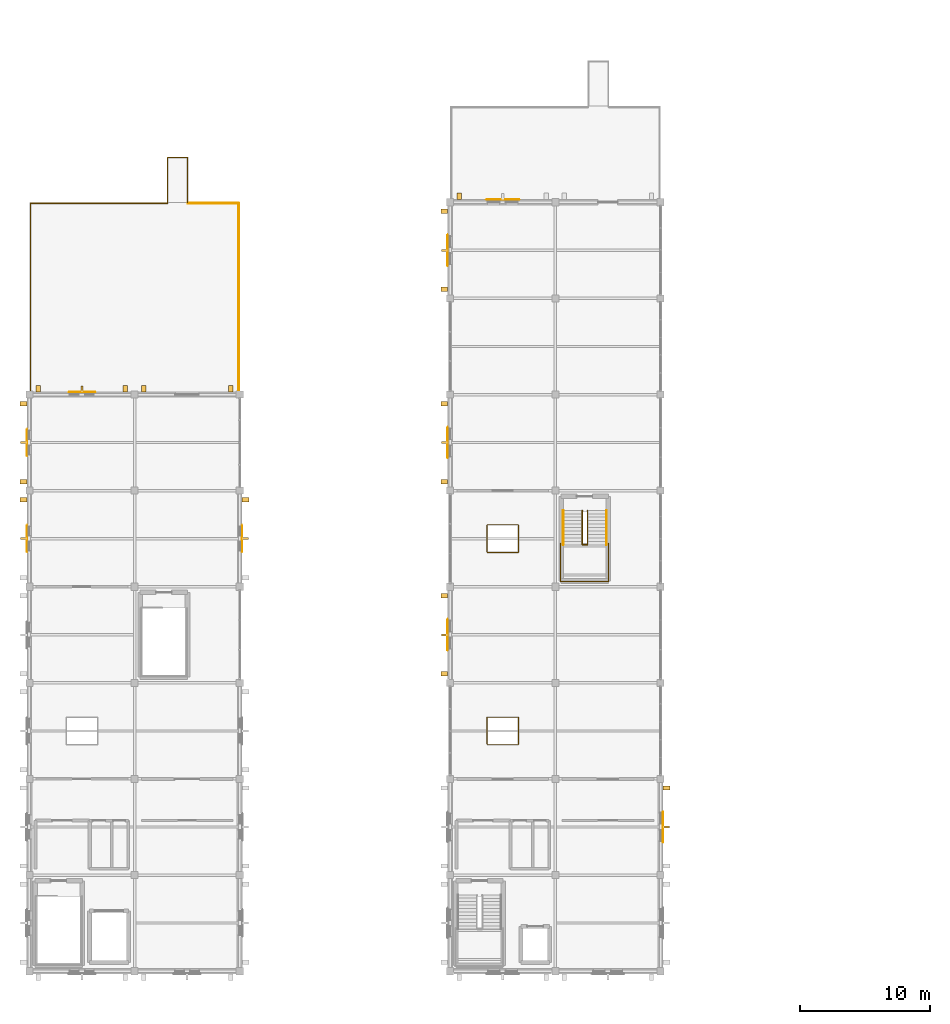
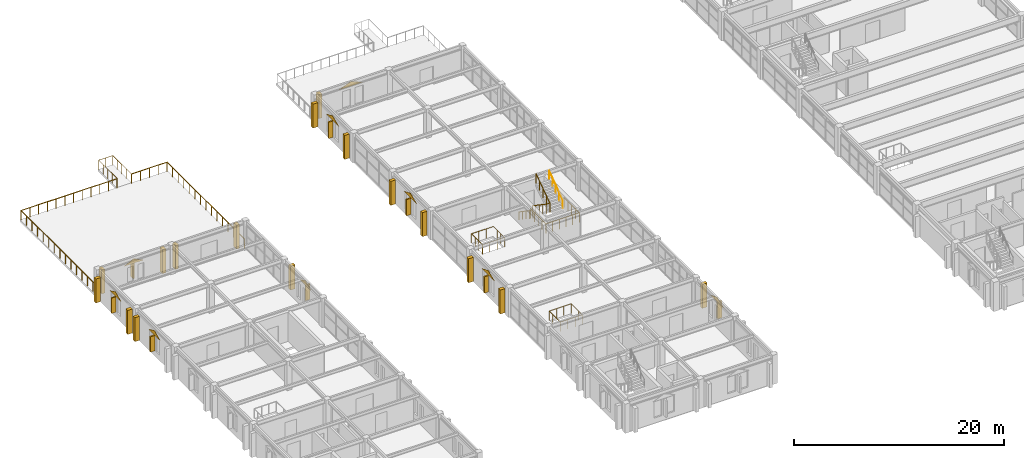
# One storey, part 88 of 93: 24 shading devices, 9 coverings, 9 railings.
"""IFC4 building model written with IfcOpenShell, lengths in metres."""

from ifc_helpers import new_model, si_unit, direction, frame, origin, origin_2d, place, context, subcontext, project, spatial, polyline, rectangle, circle, outline, extrude, material, layer, layer_set, type_object, element, save


model = new_model("IFC4")

# Units and contexts
model_context = context("Model", 3, precision=1e-05, world=origin(), true_north=direction((0.0, 1.0)))
body_context = subcontext(model_context, "Body", "Model", "MODEL_VIEW")
ifc_project = project(units=[si_unit("LENGTHUNIT", "METRE"), si_unit("AREAUNIT", "SQUARE_METRE"), si_unit("VOLUMEUNIT", "CUBIC_METRE"), si_unit("PLANEANGLEUNIT", "RADIAN"), si_unit("MASSUNIT", "GRAM", prefix="KILO")], contexts=[model_context])

# Site, building, storey
site_placement = place(None, origin())
site = spatial("IfcSite", under=ifc_project, at=site_placement, CompositionType="ELEMENT")
building_placement = place(site_placement, origin())
building = spatial("IfcBuilding", under=site, at=building_placement, Name="Cimatlan Art Gallery", CompositionType="ELEMENT")
storey_placement = place(building_placement, frame((0.0, 0.0, 13.800048828125)))
storey = spatial("IfcBuildingStorey", under=building, at=storey_placement, Name="L03", CompositionType="ELEMENT", Elevation=13.800048828125)

# Coverings
ifc_material_1 = material(Name="Queretaro cantera limestone ashlar hood-mould", Category="masonry")
ifc_layer = layer(ifc_material_1, 0.0419921875)
ifc_layer_set = layer_set([ifc_layer], Name="Queretaro cantera limestone ashlar hood-mould")
covering_type = type_object("IfcCoveringType", Name="COV-CLAD-CANTERA-42", PredefinedType="CLADDING", material=ifc_layer_set)
for number, where, z_axis, x_axis, name in (
    (1, (1.839599609375, 56.139892578125, 2.409912109375), (1.0, 0.0, 0.0), (0.0, 1.0, 0.0), "CLD-063"),
    (2, (4.989990234375, 68.46044921875, 2.409912109375), (0.0, -1.0, 0.0), (1.0, 0.0, 0.0), "CLD-064"),
):
    element("IfcCovering", number, at=place(storey_placement, frame(where, z_axis=z_axis, x_axis=x_axis)), inside=storey, type_object=covering_type, Name=name, PredefinedType="CLADDING", context=body_context, shape_type="SweptSolid", body=[
        extrude(outline(polyline([(0.0, 0.0), (2.1201171875, 0.0), (1.06005859375, 0.52001953125), (0.0, 0.0)])), origin(), (0.0, 0.0, -1.0), 0.0419921875),
    ])
covering_1_placement = place(storey_placement, frame((1.839599609375, 63.5400390625, 2.409912109375), z_axis=(1.0, 0.0, 0.0), x_axis=(0.0, 1.0, 0.0)))
element("IfcCovering", 3, at=covering_1_placement, inside=storey, type_object=covering_type, Name="CLD-065", PredefinedType="CLADDING", context=body_context, shape_type="SweptSolid", body=[
    extrude(outline(polyline([(0.0, 0.0), (2.119873046875, 0.0), (1.06005859375, 0.52001953125), (0.0, 0.0)])), origin(), (0.0, 0.0, -1.0), 0.0419921875),
])
covering_2_placement = place(storey_placement, frame((18.360595703125, 58.260009765625, 2.409912109375), z_axis=(-1.0, 0.0, 0.0), x_axis=(0.0, -1.0, 0.0)))
element("IfcCovering", 4, at=covering_2_placement, inside=storey, type_object=covering_type, Name="CLD-070", PredefinedType="CLADDING", context=body_context, shape_type="SweptSolid", body=[
    extrude(outline(polyline([(0.0, 0.0), (2.1201171875, 0.0), (1.06005859375, 0.52001953125), (0.0, 0.0)])), origin(), (0.0, 0.0, -1.0), 0.0419921875),
])
covering_3_placement = place(storey_placement, frame((34.221923828125, 48.580078125, 2.52001953125), z_axis=(1.0, 0.0, 0.0), x_axis=(0.0, 1.0, 0.0)))
element("IfcCovering", 5, at=covering_3_placement, inside=storey, type_object=covering_type, Name="CLD-074", PredefinedType="CLADDING", context=body_context, shape_type="SweptSolid", body=[
    extrude(outline(polyline([(0.0, 0.0), (2.43994140625, 0.0), (1.219970703125, 0.52001953125), (0.0, 0.0)])), origin(), (0.0, 0.0, -1.0), 0.0419921875),
])
covering_4_placement = place(storey_placement, frame((34.221923828125, 63.3798828125, 2.52001953125), z_axis=(1.0, 0.0, 0.0), x_axis=(0.0, 1.0, 0.0)))
element("IfcCovering", 6, at=covering_4_placement, inside=storey, type_object=covering_type, Name="CLD-075", PredefinedType="CLADDING", context=body_context, shape_type="SweptSolid", body=[
    extrude(outline(polyline([(0.0, 0.0), (2.440185546875, 0.0), (1.22021484375, 0.52001953125), (0.0, 0.0)])), origin(), (0.0, 0.0, -1.0), 0.0419921875),
])
covering_5_placement = place(storey_placement, frame((37.14990234375, 83.278076171875, 2.64990234375), z_axis=(0.0, -1.0, 0.0), x_axis=(1.0, 0.0, 0.0)))
element("IfcCovering", 7, at=covering_5_placement, inside=storey, type_object=covering_type, Name="CLD-076", PredefinedType="CLADDING", context=body_context, shape_type="SweptSolid", body=[
    extrude(outline(polyline([(0.0, 0.0), (2.60009765625, 0.0), (1.300048828125, 0.52001953125), (0.0, 0.0)])), origin(), (0.0, 0.0, -1.0), 0.0419921875),
])
covering_6_placement = place(storey_placement, frame((34.221923828125, 78.179931640625, 2.52001953125), z_axis=(1.0, 0.0, 0.0), x_axis=(0.0, 1.0, 0.0)))
element("IfcCovering", 8, at=covering_6_placement, inside=storey, type_object=covering_type, Name="CLD-077", PredefinedType="CLADDING", context=body_context, shape_type="SweptSolid", body=[
    extrude(outline(polyline([(0.0, 0.0), (2.440185546875, 0.0), (1.219970703125, 0.52001953125), (0.0, 0.0)])), origin(), (0.0, 0.0, -1.0), 0.0419921875),
])
covering_7_placement = place(storey_placement, frame((50.778076171875, 36.219970703125, 2.58984375), z_axis=(-1.0, 0.0, 0.0), x_axis=(0.0, -1.0, 0.0)))
element("IfcCovering", 9, at=covering_7_placement, inside=storey, type_object=covering_type, Name="CLD-080", PredefinedType="CLADDING", context=body_context, shape_type="SweptSolid", body=[
    extrude(outline(polyline([(0.0, 0.0), (2.43994140625, 0.0), (1.219970703125, 0.52001953125), (0.0, 0.0)])), origin(), (0.0, 0.0, -1.0), 0.0419921875),
])

# Railings
ifc_material_2 = material(Name="Anodised bronze and laminated glass balustrade", Category="glass")
railing_type_1 = type_object("IfcRailingType", Name="RL-BAL-EXT-1100", PredefinedType="BALUSTRADE", material=ifc_material_2)
railing_1_placement = place(storey_placement, frame((12.639892578125, 83.10009765625, 0.0)))
element("IfcRailing", 10, at=railing_1_placement, inside=storey, type_object=railing_type_1, Name="RMP-TER-B1-GR-L5", PredefinedType="BALUSTRADE", context=body_context, shape_type="SweptSolid", body=[
    extrude(circle(Radius=0.02587890625, at=origin_2d()), frame((0.0, 0.0, 1.09423828125), z_axis=(0.0, 1.0, 0.0), x_axis=(-1.0, 0.0, 0.0)), (0.0, 0.0, 1.0), 3.449951171875),
    extrude(circle(Radius=0.02587890625, at=origin_2d()), frame((0.0, 3.449951171875, 1.09423828125), z_axis=(1.0, 0.0, 0.0), x_axis=(0.0, 1.0, 0.0)), (0.0, 0.0, 1.0), 1.550048828125),
    extrude(circle(Radius=0.02587890625, at=origin_2d()), frame((1.550048828125, 3.449951171875, 1.09423828125), z_axis=(0.0, -1.0, 0.0), x_axis=(1.0, 0.0, 0.0)), (0.0, 0.0, 1.0), 3.449951171875),
    extrude(circle(Radius=0.02099609375, at=origin_2d()), origin(), (0.0, 0.0, 1.0), 1.068115234375),
    extrude(circle(Radius=0.02099609375, at=origin_2d()), frame((0.0, 0.862548828125, 0.0)), (0.0, 0.0, 1.0), 1.068115234375),
    extrude(circle(Radius=0.02099609375, at=origin_2d()), frame((0.0, 1.72509765625, 0.0)), (0.0, 0.0, 1.0), 1.068115234375),
    extrude(circle(Radius=0.02099609375, at=origin_2d()), frame((0.0, 2.58740234375, 0.0)), (0.0, 0.0, 1.0), 1.068115234375),
    extrude(circle(Radius=0.02099609375, at=origin_2d()), frame((0.0, 3.449951171875, 0.0)), (0.0, 0.0, 1.0), 1.068115234375),
    extrude(circle(Radius=0.02099609375, at=origin_2d()), frame((0.77490234375, 3.449951171875, 0.0)), (0.0, 0.0, 1.0), 1.068115234375),
    extrude(circle(Radius=0.02099609375, at=origin_2d()), frame((1.550048828125, 3.449951171875, 0.0)), (0.0, 0.0, 1.0), 1.068115234375),
    extrude(circle(Radius=0.02099609375, at=origin_2d()), frame((1.550048828125, 2.58740234375, 0.0)), (0.0, 0.0, 1.0), 1.068115234375),
    extrude(circle(Radius=0.02099609375, at=origin_2d()), frame((1.550048828125, 1.72509765625, 0.0)), (0.0, 0.0, 1.0), 1.068115234375),
    extrude(circle(Radius=0.02099609375, at=origin_2d()), frame((1.550048828125, 0.862548828125, 0.0)), (0.0, 0.0, 1.0), 1.068115234375),
    extrude(circle(Radius=0.02099609375, at=origin_2d()), frame((1.550048828125, 0.0, 0.0)), (0.0, 0.0, 1.0), 1.068115234375),
])
railing_2_placement = place(storey_placement, frame((2.080078125, 68.320068359375, 0.0)))
element("IfcRailing", 11, at=railing_2_placement, inside=storey, type_object=railing_type_1, Name="GR-TER-15", PredefinedType="BALUSTRADE", context=body_context, shape_type="SweptSolid", body=[
    extrude(circle(Radius=0.02587890625, at=origin_2d()), frame((0.0, 0.0, 1.09423828125), z_axis=(0.0, 1.0, 0.0), x_axis=(-1.0, 0.0, 0.0)), (0.0, 0.0, 1.0), 14.699951171875),
    extrude(circle(Radius=0.02587890625, at=origin_2d()), frame((0.0, 14.699951171875, 1.09423828125), z_axis=(1.0, 0.0, 0.0), x_axis=(0.0, 1.0, 0.0)), (0.0, 0.0, 1.0), 10.5498046875),
    extrude(circle(Radius=0.02099609375, at=origin_2d()), origin(), (0.0, 0.0, 1.0), 1.068115234375),
    extrude(circle(Radius=0.02099609375, at=origin_2d()), frame((0.0, 1.050048828125, 0.0)), (0.0, 0.0, 1.0), 1.068115234375),
    extrude(circle(Radius=0.02099609375, at=origin_2d()), frame((0.0, 2.10009765625, 0.0)), (0.0, 0.0, 1.0), 1.068115234375),
    extrude(circle(Radius=0.02099609375, at=origin_2d()), frame((0.0, 3.14990234375, 0.0)), (0.0, 0.0, 1.0), 1.068115234375),
    extrude(circle(Radius=0.02099609375, at=origin_2d()), frame((0.0, 4.199951171875, 0.0)), (0.0, 0.0, 1.0), 1.068115234375),
    extrude(circle(Radius=0.02099609375, at=origin_2d()), frame((0.0, 5.25, 0.0)), (0.0, 0.0, 1.0), 1.068115234375),
    extrude(circle(Radius=0.02099609375, at=origin_2d()), frame((0.0, 6.300048828125, 0.0)), (0.0, 0.0, 1.0), 1.068115234375),
    extrude(circle(Radius=0.02099609375, at=origin_2d()), frame((0.0, 7.35009765625, 0.0)), (0.0, 0.0, 1.0), 1.068115234375),
    extrude(circle(Radius=0.02099609375, at=origin_2d()), frame((0.0, 8.39990234375, 0.0)), (0.0, 0.0, 1.0), 1.068115234375),
    extrude(circle(Radius=0.02099609375, at=origin_2d()), frame((0.0, 9.449951171875, 0.0)), (0.0, 0.0, 1.0), 1.068115234375),
    extrude(circle(Radius=0.02099609375, at=origin_2d()), frame((0.0, 10.5, 0.0)), (0.0, 0.0, 1.0), 1.068115234375),
    extrude(circle(Radius=0.02099609375, at=origin_2d()), frame((0.0, 11.550048828125, 0.0)), (0.0, 0.0, 1.0), 1.068115234375),
    extrude(circle(Radius=0.02099609375, at=origin_2d()), frame((0.0, 12.599853515625, 0.0)), (0.0, 0.0, 1.0), 1.068115234375),
    extrude(circle(Radius=0.02099609375, at=origin_2d()), frame((0.0, 13.64990234375, 0.0)), (0.0, 0.0, 1.0), 1.068115234375),
    extrude(circle(Radius=0.02099609375, at=origin_2d()), frame((0.0, 14.699951171875, 0.0)), (0.0, 0.0, 1.0), 1.068115234375),
    extrude(circle(Radius=0.02099609375, at=origin_2d()), frame((0.958984375, 14.699951171875, 0.0)), (0.0, 0.0, 1.0), 1.068115234375),
    extrude(circle(Radius=0.02099609375, at=origin_2d()), frame((1.918212890625, 14.699951171875, 0.0)), (0.0, 0.0, 1.0), 1.068115234375),
    extrude(circle(Radius=0.02099609375, at=origin_2d()), frame((2.877197265625, 14.699951171875, 0.0)), (0.0, 0.0, 1.0), 1.068115234375),
    extrude(circle(Radius=0.02099609375, at=origin_2d()), frame((3.836181640625, 14.699951171875, 0.0)), (0.0, 0.0, 1.0), 1.068115234375),
    extrude(circle(Radius=0.02099609375, at=origin_2d()), frame((4.79541015625, 14.699951171875, 0.0)), (0.0, 0.0, 1.0), 1.068115234375),
    extrude(circle(Radius=0.02099609375, at=origin_2d()), frame((5.75439453125, 14.699951171875, 0.0)), (0.0, 0.0, 1.0), 1.068115234375),
    extrude(circle(Radius=0.02099609375, at=origin_2d()), frame((6.713623046875, 14.699951171875, 0.0)), (0.0, 0.0, 1.0), 1.068115234375),
    extrude(circle(Radius=0.02099609375, at=origin_2d()), frame((7.672607421875, 14.699951171875, 0.0)), (0.0, 0.0, 1.0), 1.068115234375),
    extrude(circle(Radius=0.02099609375, at=origin_2d()), frame((8.631591796875, 14.699951171875, 0.0)), (0.0, 0.0, 1.0), 1.068115234375),
    extrude(circle(Radius=0.02099609375, at=origin_2d()), frame((9.5908203125, 14.699951171875, 0.0)), (0.0, 0.0, 1.0), 1.068115234375),
    extrude(circle(Radius=0.02099609375, at=origin_2d()), frame((10.5498046875, 14.699951171875, 0.0)), (0.0, 0.0, 1.0), 1.068115234375),
])
railing_3_placement = place(storey_placement, frame((14.199951171875, 83.02001953125, 0.0)))
element("IfcRailing", 12, at=railing_3_placement, inside=storey, type_object=railing_type_1, Name="GR-TER-16", PredefinedType="BALUSTRADE", context=body_context, shape_type="SweptSolid", body=[
    extrude(circle(Radius=0.02587890625, at=origin_2d()), frame((0.0, 0.0, 1.09423828125), z_axis=(1.0, 0.0, 0.0), x_axis=(0.0, 1.0, 0.0)), (0.0, 0.0, 1.0), 3.920166015625),
    extrude(circle(Radius=0.02587890625, at=origin_2d()), frame((3.920166015625, 0.0, 1.09423828125), z_axis=(0.0, -1.0, 0.0), x_axis=(1.0, 0.0, 0.0)), (0.0, 0.0, 1.0), 14.699951171875),
    extrude(circle(Radius=0.02099609375, at=origin_2d()), origin(), (0.0, 0.0, 1.0), 1.068115234375),
    extrude(circle(Radius=0.02099609375, at=origin_2d()), frame((0.97998046875, 0.0, 0.0)), (0.0, 0.0, 1.0), 1.068115234375),
    extrude(circle(Radius=0.02099609375, at=origin_2d()), frame((1.9599609375, 0.0, 0.0)), (0.0, 0.0, 1.0), 1.068115234375),
    extrude(circle(Radius=0.02099609375, at=origin_2d()), frame((2.940185546875, 0.0, 0.0)), (0.0, 0.0, 1.0), 1.068115234375),
    extrude(circle(Radius=0.02099609375, at=origin_2d()), frame((3.920166015625, 0.0, 0.0)), (0.0, 0.0, 1.0), 1.068115234375),
    extrude(circle(Radius=0.02099609375, at=origin_2d()), frame((3.920166015625, -1.050048828125, 0.0)), (0.0, 0.0, 1.0), 1.068115234375),
    extrude(circle(Radius=0.02099609375, at=origin_2d()), frame((3.920166015625, -2.10009765625, 0.0)), (0.0, 0.0, 1.0), 1.068115234375),
    extrude(circle(Radius=0.02099609375, at=origin_2d()), frame((3.920166015625, -3.14990234375, 0.0)), (0.0, 0.0, 1.0), 1.068115234375),
    extrude(circle(Radius=0.02099609375, at=origin_2d()), frame((3.920166015625, -4.199951171875, 0.0)), (0.0, 0.0, 1.0), 1.068115234375),
    extrude(circle(Radius=0.02099609375, at=origin_2d()), frame((3.920166015625, -5.25, 0.0)), (0.0, 0.0, 1.0), 1.068115234375),
    extrude(circle(Radius=0.02099609375, at=origin_2d()), frame((3.920166015625, -6.300048828125, 0.0)), (0.0, 0.0, 1.0), 1.068115234375),
    extrude(circle(Radius=0.02099609375, at=origin_2d()), frame((3.920166015625, -7.35009765625, 0.0)), (0.0, 0.0, 1.0), 1.068115234375),
    extrude(circle(Radius=0.02099609375, at=origin_2d()), frame((3.920166015625, -8.39990234375, 0.0)), (0.0, 0.0, 1.0), 1.068115234375),
    extrude(circle(Radius=0.02099609375, at=origin_2d()), frame((3.920166015625, -9.449951171875, 0.0)), (0.0, 0.0, 1.0), 1.068115234375),
    extrude(circle(Radius=0.02099609375, at=origin_2d()), frame((3.920166015625, -10.5, 0.0)), (0.0, 0.0, 1.0), 1.068115234375),
    extrude(circle(Radius=0.02099609375, at=origin_2d()), frame((3.920166015625, -11.550048828125, 0.0)), (0.0, 0.0, 1.0), 1.068115234375),
    extrude(circle(Radius=0.02099609375, at=origin_2d()), frame((3.920166015625, -12.599853515625, 0.0)), (0.0, 0.0, 1.0), 1.068115234375),
    extrude(circle(Radius=0.02099609375, at=origin_2d()), frame((3.920166015625, -13.64990234375, 0.0)), (0.0, 0.0, 1.0), 1.068115234375),
    extrude(circle(Radius=0.02099609375, at=origin_2d()), frame((3.920166015625, -14.699951171875, 0.0)), (0.0, 0.0, 1.0), 1.068115234375),
])
ifc_material_3 = material(Name="Painted steel and bronze interior balustrade", Category="steel")
railing_type_2 = type_object("IfcRailingType", Name="RL-BAL-INT-1120", PredefinedType="BALUSTRADE", material=ifc_material_3)
railing_4_placement = place(storey_placement, frame((42.909912109375, 56.840087890625, 1.800048828125)))
element("IfcRailing", 13, at=railing_4_placement, inside=storey, type_object=railing_type_2, Name="STR-C8-L03-LGRD", PredefinedType="BALUSTRADE", context=body_context, shape_type="SweptSolid", body=[
    extrude(circle(Radius=0.02392578125, at=origin_2d()), frame((0.0, 0.0, 1.09619140625), z_axis=(0.0, -1.0, 0.0), x_axis=(1.0, 0.0, 0.0)), (0.0, 0.0, 1.0), 2.93017578125),
    extrude(circle(Radius=0.02392578125, at=origin_2d()), frame((0.0, -2.93017578125, 1.09619140625), z_axis=(1.0, 0.0, 0.0), x_axis=(0.0, 1.0, 0.0)), (0.0, 0.0, 1.0), 3.670166015625),
    extrude(circle(Radius=0.02392578125, at=origin_2d()), frame((3.670166015625, -2.93017578125, 1.09619140625), z_axis=(0.0, 1.0, 0.0), x_axis=(-1.0, 0.0, 0.0)), (0.0, 0.0, 1.0), 2.93017578125),
    extrude(circle(Radius=0.02001953125, at=origin_2d()), origin(), (0.0, 0.0, 1.0), 1.072021484375),
    extrude(circle(Radius=0.02001953125, at=origin_2d()), frame((0.0, -0.732421875, 0.0)), (0.0, 0.0, 1.0), 1.072021484375),
    extrude(circle(Radius=0.02001953125, at=origin_2d()), frame((0.0, -1.465087890625, 0.0)), (0.0, 0.0, 1.0), 1.072021484375),
    extrude(circle(Radius=0.02001953125, at=origin_2d()), frame((0.0, -2.19775390625, 0.0)), (0.0, 0.0, 1.0), 1.072021484375),
    extrude(circle(Radius=0.02001953125, at=origin_2d()), frame((0.0, -2.93017578125, 0.0)), (0.0, 0.0, 1.0), 1.072021484375),
    extrude(circle(Radius=0.02001953125, at=origin_2d()), frame((0.734130859375, -2.93017578125, 0.0)), (0.0, 0.0, 1.0), 1.072021484375),
    extrude(circle(Radius=0.02001953125, at=origin_2d()), frame((1.468017578125, -2.93017578125, 0.0)), (0.0, 0.0, 1.0), 1.072021484375),
    extrude(circle(Radius=0.02001953125, at=origin_2d()), frame((2.2021484375, -2.93017578125, 0.0)), (0.0, 0.0, 1.0), 1.072021484375),
    extrude(circle(Radius=0.02001953125, at=origin_2d()), frame((2.93603515625, -2.93017578125, 0.0)), (0.0, 0.0, 1.0), 1.072021484375),
    extrude(circle(Radius=0.02001953125, at=origin_2d()), frame((3.670166015625, -2.93017578125, 0.0)), (0.0, 0.0, 1.0), 1.072021484375),
    extrude(circle(Radius=0.02001953125, at=origin_2d()), frame((3.670166015625, -2.19775390625, 0.0)), (0.0, 0.0, 1.0), 1.072021484375),
    extrude(circle(Radius=0.02001953125, at=origin_2d()), frame((3.670166015625, -1.465087890625, 0.0)), (0.0, 0.0, 1.0), 1.072021484375),
    extrude(circle(Radius=0.02001953125, at=origin_2d()), frame((3.670166015625, -0.732421875, 0.0)), (0.0, 0.0, 1.0), 1.072021484375),
    extrude(circle(Radius=0.02001953125, at=origin_2d()), frame((3.670166015625, 0.0, 0.0)), (0.0, 0.0, 1.0), 1.072021484375),
])
railing_5_placement = place(storey_placement, frame((44.570068359375, 59.3798828125, 0.0)))
element("IfcRailing", 14, at=railing_5_placement, inside=storey, type_object=railing_type_2, Name="STR-C8-L03-GRD", PredefinedType="BALUSTRADE", context=body_context, shape_type="SweptSolid", body=[
    extrude(circle(Radius=0.02392578125, at=origin_2d()), frame((0.0, 0.0, 1.09619140625), z_axis=(0.0, -0.827199981925, 0.561907634672), x_axis=(1.0, 0.0, 0.0)), (0.0, 0.0, 1.0), 3.203369140625),
    extrude(circle(Radius=0.02392578125, at=origin_2d()), frame((0.0, -2.64990234375, 2.89599609375), z_axis=(1.0, 0.0, 0.0), x_axis=(0.0, 1.0, 0.0)), (0.0, 0.0, 1.0), 0.39990234375),
    extrude(circle(Radius=0.02392578125, at=origin_2d()), frame((0.39990234375, -2.64990234375, 2.89599609375), z_axis=(0.0, 0.82723540568, 0.561855482833), x_axis=(-1.0, 0.0, 0.0)), (0.0, 0.0, 1.0), 3.203369140625),
    extrude(circle(Radius=0.02001953125, at=origin_2d()), origin(), (0.0, 0.0, 1.0), 1.072021484375),
    extrude(circle(Radius=0.02001953125, at=origin_2d()), frame((0.0, -0.66259765625, 0.449951171875)), (0.0, 0.0, 1.0), 1.072021484375),
    extrude(circle(Radius=0.02001953125, at=origin_2d()), frame((0.0, -1.324951171875, 0.89990234375)), (0.0, 0.0, 1.0), 1.072021484375),
    extrude(circle(Radius=0.02001953125, at=origin_2d()), frame((0.0, -1.9873046875, 1.35009765625)), (0.0, 0.0, 1.0), 1.072021484375),
    extrude(circle(Radius=0.02001953125, at=origin_2d()), frame((0.0, -2.64990234375, 1.800048828125)), (0.0, 0.0, 1.0), 1.072021484375),
    extrude(circle(Radius=0.02001953125, at=origin_2d()), frame((0.39990234375, -2.64990234375, 1.800048828125)), (0.0, 0.0, 1.0), 1.072021484375),
    extrude(circle(Radius=0.02001953125, at=origin_2d()), frame((0.39990234375, -1.9873046875, 2.25)), (0.0, 0.0, 1.0), 1.072021484375),
    extrude(circle(Radius=0.02001953125, at=origin_2d()), frame((0.39990234375, -1.324951171875, 2.699951171875)), (0.0, 0.0, 1.0), 1.072021484375),
    extrude(circle(Radius=0.02001953125, at=origin_2d()), frame((0.39990234375, -0.66259765625, 3.14990234375)), (0.0, 0.0, 1.0), 1.072021484375),
    extrude(circle(Radius=0.02001953125, at=origin_2d()), frame((0.39990234375, 0.0, 3.599853515625)), (0.0, 0.0, 1.0), 1.072021484375),
])
railing_6_placement = place(storey_placement, frame((37.239990234375, 41.340087890625, 0.0)))
element("IfcRailing", 15, at=railing_6_placement, inside=storey, type_object=railing_type_2, Name="GR-OCU-L03-B2S", PredefinedType="BALUSTRADE", context=body_context, shape_type="SweptSolid", body=[
    extrude(circle(Radius=0.02392578125, at=origin_2d()), frame((0.0, 0.0, 1.09619140625), z_axis=(1.0, 0.0, 0.0), x_axis=(0.0, 1.0, 0.0)), (0.0, 0.0, 1.0), 2.419921875),
    extrude(circle(Radius=0.02392578125, at=origin_2d()), frame((2.419921875, 0.0, 1.09619140625), z_axis=(0.0, 1.0, 0.0), x_axis=(-1.0, 0.0, 0.0)), (0.0, 0.0, 1.0), 2.119873046875),
    extrude(circle(Radius=0.02392578125, at=origin_2d()), frame((2.419921875, 2.119873046875, 1.09619140625), z_axis=(-1.0, 0.0, 0.0), x_axis=(0.0, -1.0, 0.0)), (0.0, 0.0, 1.0), 2.419921875),
    extrude(circle(Radius=0.02392578125, at=origin_2d()), frame((0.0, 2.119873046875, 1.09619140625), z_axis=(0.0, -1.0, 0.0), x_axis=(1.0, 0.0, 0.0)), (0.0, 0.0, 1.0), 2.080078125),
    extrude(circle(Radius=0.02001953125, at=origin_2d()), origin(), (0.0, 0.0, 1.0), 1.072021484375),
    extrude(circle(Radius=0.02001953125, at=origin_2d()), frame((0.806640625, 0.0, 0.0)), (0.0, 0.0, 1.0), 1.072021484375),
    extrude(circle(Radius=0.02001953125, at=origin_2d()), frame((1.61328125, 0.0, 0.0)), (0.0, 0.0, 1.0), 1.072021484375),
    extrude(circle(Radius=0.02001953125, at=origin_2d()), frame((2.419921875, 0.0, 0.0)), (0.0, 0.0, 1.0), 1.072021484375),
    extrude(circle(Radius=0.02001953125, at=origin_2d()), frame((2.419921875, 0.70654296875, 0.0)), (0.0, 0.0, 1.0), 1.072021484375),
    extrude(circle(Radius=0.02001953125, at=origin_2d()), frame((2.419921875, 1.413330078125, 0.0)), (0.0, 0.0, 1.0), 1.072021484375),
    extrude(circle(Radius=0.02001953125, at=origin_2d()), frame((2.419921875, 2.119873046875, 0.0)), (0.0, 0.0, 1.0), 1.072021484375),
    extrude(circle(Radius=0.02001953125, at=origin_2d()), frame((1.61328125, 2.119873046875, 0.0)), (0.0, 0.0, 1.0), 1.072021484375),
    extrude(circle(Radius=0.02001953125, at=origin_2d()), frame((0.806640625, 2.119873046875, 0.0)), (0.0, 0.0, 1.0), 1.072021484375),
    extrude(circle(Radius=0.02001953125, at=origin_2d()), frame((0.0, 2.119873046875, 0.0)), (0.0, 0.0, 1.0), 1.072021484375),
    extrude(circle(Radius=0.02001953125, at=origin_2d()), frame((0.0, 1.426513671875, 0.0)), (0.0, 0.0, 1.0), 1.072021484375),
    extrude(circle(Radius=0.02001953125, at=origin_2d()), frame((0.0, 0.733154296875, 0.0)), (0.0, 0.0, 1.0), 1.072021484375),
    extrude(circle(Radius=0.02001953125, at=origin_2d()), frame((0.0, 0.039794921875, 0.0)), (0.0, 0.0, 1.0), 1.072021484375),
])
railing_7_placement = place(storey_placement, frame((37.239990234375, 56.139892578125, 0.0)))
element("IfcRailing", 16, at=railing_7_placement, inside=storey, type_object=railing_type_2, Name="GR-OCU-L03-B2N", PredefinedType="BALUSTRADE", context=body_context, shape_type="SweptSolid", body=[
    extrude(circle(Radius=0.02392578125, at=origin_2d()), frame((0.0, 0.0, 1.09619140625), z_axis=(1.0, 0.0, 0.0), x_axis=(0.0, 1.0, 0.0)), (0.0, 0.0, 1.0), 2.419921875),
    extrude(circle(Radius=0.02392578125, at=origin_2d()), frame((2.419921875, 0.0, 1.09619140625), z_axis=(0.0, 1.0, 0.0), x_axis=(-1.0, 0.0, 0.0)), (0.0, 0.0, 1.0), 2.1201171875),
    extrude(circle(Radius=0.02392578125, at=origin_2d()), frame((2.419921875, 2.1201171875, 1.09619140625), z_axis=(-1.0, 0.0, 0.0), x_axis=(0.0, -1.0, 0.0)), (0.0, 0.0, 1.0), 2.419921875),
    extrude(circle(Radius=0.02392578125, at=origin_2d()), frame((0.0, 2.1201171875, 1.09619140625), z_axis=(0.0, -1.0, 0.0), x_axis=(1.0, 0.0, 0.0)), (0.0, 0.0, 1.0), 2.080078125),
    extrude(circle(Radius=0.02001953125, at=origin_2d()), origin(), (0.0, 0.0, 1.0), 1.072021484375),
    extrude(circle(Radius=0.02001953125, at=origin_2d()), frame((0.806640625, 0.0, 0.0)), (0.0, 0.0, 1.0), 1.072021484375),
    extrude(circle(Radius=0.02001953125, at=origin_2d()), frame((1.61328125, 0.0, 0.0)), (0.0, 0.0, 1.0), 1.072021484375),
    extrude(circle(Radius=0.02001953125, at=origin_2d()), frame((2.419921875, 0.0, 0.0)), (0.0, 0.0, 1.0), 1.072021484375),
    extrude(circle(Radius=0.02001953125, at=origin_2d()), frame((2.419921875, 0.706787109375, 0.0)), (0.0, 0.0, 1.0), 1.072021484375),
    extrude(circle(Radius=0.02001953125, at=origin_2d()), frame((2.419921875, 1.413330078125, 0.0)), (0.0, 0.0, 1.0), 1.072021484375),
    extrude(circle(Radius=0.02001953125, at=origin_2d()), frame((2.419921875, 2.1201171875, 0.0)), (0.0, 0.0, 1.0), 1.072021484375),
    extrude(circle(Radius=0.02001953125, at=origin_2d()), frame((1.61328125, 2.1201171875, 0.0)), (0.0, 0.0, 1.0), 1.072021484375),
    extrude(circle(Radius=0.02001953125, at=origin_2d()), frame((0.806640625, 2.1201171875, 0.0)), (0.0, 0.0, 1.0), 1.072021484375),
    extrude(circle(Radius=0.02001953125, at=origin_2d()), frame((0.0, 2.1201171875, 0.0)), (0.0, 0.0, 1.0), 1.072021484375),
    extrude(circle(Radius=0.02001953125, at=origin_2d()), frame((0.0, 1.4267578125, 0.0)), (0.0, 0.0, 1.0), 1.072021484375),
    extrude(circle(Radius=0.02001953125, at=origin_2d()), frame((0.0, 0.7333984375, 0.0)), (0.0, 0.0, 1.0), 1.072021484375),
    extrude(circle(Radius=0.02001953125, at=origin_2d()), frame((0.0, 0.0400390625, 0.0)), (0.0, 0.0, 1.0), 1.072021484375),
])
ifc_material_4 = material(Name="Brushed bronze stair handrail")
railing_type_3 = type_object("IfcRailingType", Name="RL-HND-INT-920", PredefinedType="HANDRAIL", material=ifc_material_4)
railing_8_placement = place(storey_placement, frame((43.110107421875, 59.3798828125, 0.0)))
element("IfcRailing", 17, at=railing_8_placement, inside=storey, type_object=railing_type_3, Name="STR-C8-L03-HR1", PredefinedType="HANDRAIL", context=body_context, shape_type="SweptSolid", body=[
    extrude(circle(Radius=0.02197265625, at=origin_2d()), frame((0.0, 0.0, 0.89794921875), z_axis=(0.0, -0.827199981925, 0.561907634672), x_axis=(1.0, 0.0, 0.0)), (0.0, 0.0, 1.0), 3.203369140625),
    extrude(circle(Radius=0.01904296875, at=origin_2d()), origin(), (0.0, 0.0, 1.0), 0.8759765625),
    extrude(circle(Radius=0.01904296875, at=origin_2d()), frame((0.0, -0.66259765625, 0.449951171875)), (0.0, 0.0, 1.0), 0.8759765625),
    extrude(circle(Radius=0.01904296875, at=origin_2d()), frame((0.0, -1.324951171875, 0.89990234375)), (0.0, 0.0, 1.0), 0.8759765625),
    extrude(circle(Radius=0.01904296875, at=origin_2d()), frame((0.0, -1.9873046875, 1.35009765625)), (0.0, 0.0, 1.0), 0.8759765625),
    extrude(circle(Radius=0.01904296875, at=origin_2d()), frame((0.0, -2.64990234375, 1.800048828125)), (0.0, 0.0, 1.0), 0.8759765625),
])
railing_9_placement = place(storey_placement, frame((46.429931640625, 56.72998046875, 1.800048828125)))
element("IfcRailing", 18, at=railing_9_placement, inside=storey, type_object=railing_type_3, Name="STR-C8-L03-HR2", PredefinedType="HANDRAIL", context=body_context, shape_type="SweptSolid", body=[
    extrude(circle(Radius=0.02197265625, at=origin_2d()), frame((0.0, 0.0, 0.89794921875), z_axis=(0.0, 0.82723540568, 0.561855482833), x_axis=(-1.0, 0.0, 0.0)), (0.0, 0.0, 1.0), 3.203369140625),
    extrude(circle(Radius=0.01904296875, at=origin_2d()), origin(), (0.0, 0.0, 1.0), 0.8759765625),
    extrude(circle(Radius=0.01904296875, at=origin_2d()), frame((0.0, 0.66259765625, 0.449951171875)), (0.0, 0.0, 1.0), 0.8759765625),
    extrude(circle(Radius=0.01904296875, at=origin_2d()), frame((0.0, 1.324951171875, 0.89990234375)), (0.0, 0.0, 1.0), 0.8759765625),
    extrude(circle(Radius=0.01904296875, at=origin_2d()), frame((0.0, 1.9873046875, 1.349853515625)), (0.0, 0.0, 1.0), 0.8759765625),
    extrude(circle(Radius=0.01904296875, at=origin_2d()), frame((0.0, 2.64990234375, 1.7998046875)), (0.0, 0.0, 1.0), 0.8759765625),
])

# Shading devices
ifc_material_5 = material(Name="Queretaro cantera limestone buttress pilaster", Category="masonry")
shading_device_type_1 = type_object("IfcShadingDeviceType", Name="SHD-BUT-520", PredefinedType="USERDEFINED", material=ifc_material_5)
for number, where, z_axis, x_axis, name in (
    (19, (1.5595703125, 60.200927734375, 0.059814453125), (0.0, 0.0, 1.0), (0.0, 1.0, 0.0), "BUT-0348"),
    (20, (2.698974609375, 68.740478515625, 0.059814453125), (0.0, 0.0, 1.0), (1.0, 0.0, 0.0), "BUT-0349"),
    (21, (9.40087890625, 68.740478515625, 0.059814453125), (0.0, 0.0, 1.0), (1.0, 0.0, 0.0), "BUT-0350"),
    (22, (1.5595703125, 61.59912109375, 0.059814453125), (0.0, 0.0, 1.0), (0.0, 1.0, 0.0), "BUT-0351"),
    (23, (1.5595703125, 67.60107421875, 0.059814453125), (0.0, 0.0, 1.0), (0.0, 1.0, 0.0), "BUT-0352"),
    (24, (18.640380859375, 60.200927734375, 0.059814453125), (0.0, 0.0, 1.0), (0.0, -1.0, 0.0), "BUT-0361"),
    (25, (10.799072265625, 68.740478515625, 0.059814453125), (0.0, 0.0, 1.0), (1.0, 0.0, 0.0), "BUT-0363"),
    (26, (17.5009765625, 68.740478515625, 0.059814453125), (0.0, 0.0, 1.0), (1.0, 0.0, 0.0), "BUT-0364"),
    (27, (33.94189453125, 46.799072265625, 0.059814453125), (0.0, 0.0, 1.0), (0.0, 1.0, 0.0), "BUT-0371"),
    (28, (33.94189453125, 52.801025390625, 0.059814453125), (0.0, 0.0, 1.0), (0.0, 1.0, 0.0), "BUT-0372"),
    (29, (33.94189453125, 61.59912109375, 0.059814453125), (0.0, 0.0, 1.0), (0.0, 1.0, 0.0), "BUT-0373"),
    (30, (33.94189453125, 67.60107421875, 0.059814453125), (0.0, 0.0, 1.0), (0.0, 1.0, 0.0), "BUT-0374"),
    (31, (35.09912109375, 83.55810546875, 0.059814453125), (0.0, 0.0, 1.0), (1.0, 0.0, 0.0), "BUT-0375"),
    (32, (33.94189453125, 76.39892578125, 0.059814453125), (0.0, 0.0, 1.0), (0.0, 1.0, 0.0), "BUT-0377"),
    (33, (33.94189453125, 82.40087890625, 0.059814453125), (0.0, 0.0, 1.0), (0.0, 1.0, 0.0), "BUT-0378"),
    (34, (51.05810546875, 38.0009765625, 0.059814453125), (0.0, 0.0, 1.0), (0.0, -1.0, 0.0), "BUT-0383"),
):
    element("IfcShadingDevice", number, at=place(storey_placement, frame(where, z_axis=z_axis, x_axis=x_axis)), inside=storey, type_object=shading_device_type_1, Name=name, ObjectType="FIN", PredefinedType="USERDEFINED", context=body_context, shape_type="SweptSolid", body=[
        extrude(rectangle(XDim=0.340087890625, YDim=0.52001953125, at=origin_2d()), origin(), (0.0, 0.0, 1.0), 2.7880859375),
    ])
ifc_material_6 = material(Name="Queretaro cantera limestone lancet mullion fin", Category="masonry")
shading_device_type_2 = type_object("IfcShadingDeviceType", Name="SHD-FIN-480", PredefinedType="USERDEFINED", material=ifc_material_6)
for number, where, z_axis, x_axis, name in (
    (35, (1.57958984375, 57.199951171875, 0.60009765625), (0.0, 0.0, 1.0), (0.0, 1.0, 0.0), "FIN-106"),
    (36, (6.050048828125, 68.720458984375, 0.60009765625), (0.0, 0.0, 1.0), (1.0, 0.0, 0.0), "FIN-107"),
    (37, (1.57958984375, 64.60009765625, 0.60009765625), (0.0, 0.0, 1.0), (0.0, 1.0, 0.0), "FIN-108"),
    (38, (18.62060546875, 57.199951171875, 0.60009765625), (0.0, 0.0, 1.0), (0.0, -1.0, 0.0), "FIN-113"),
):
    element("IfcShadingDevice", number, at=place(storey_placement, frame(where, z_axis=z_axis, x_axis=x_axis)), inside=storey, type_object=shading_device_type_2, Name=name, ObjectType="FIN", PredefinedType="USERDEFINED", context=body_context, shape_type="SweptSolid", body=[
        extrude(rectangle(XDim=0.159912109375, YDim=0.47998046875, at=origin_2d()), origin(), (0.0, 0.0, 1.0), 1.780029296875),
    ])
for number, where, z_axis, x_axis, name in (
    (39, (33.9619140625, 49.800048828125, 0.60009765625), (0.0, 0.0, 1.0), (0.0, 1.0, 0.0), "FIN-117"),
    (40, (33.9619140625, 64.60009765625, 0.60009765625), (0.0, 0.0, 1.0), (0.0, 1.0, 0.0), "FIN-118"),
    (41, (33.9619140625, 79.39990234375, 0.60009765625), (0.0, 0.0, 1.0), (0.0, 1.0, 0.0), "FIN-120"),
):
    element("IfcShadingDevice", number, at=place(storey_placement, frame(where, z_axis=z_axis, x_axis=x_axis)), inside=storey, type_object=shading_device_type_2, Name=name, ObjectType="FIN", PredefinedType="USERDEFINED", context=body_context, shape_type="SweptSolid", body=[
        extrude(rectangle(XDim=0.159912109375, YDim=0.47998046875, at=origin_2d()), origin(), (0.0, 0.0, 1.0), 1.889892578125),
    ])
shading_device_placement = place(storey_placement, frame((51.0380859375, 35.0, 0.599853515625), z_axis=(0.0, 0.0, 1.0), x_axis=(0.0, -1.0, 0.0)))
element("IfcShadingDevice", 42, at=shading_device_placement, inside=storey, type_object=shading_device_type_2, Name="FIN-123", ObjectType="FIN", PredefinedType="USERDEFINED", context=body_context, shape_type="SweptSolid", body=[
    extrude(rectangle(XDim=0.159912109375, YDim=0.47998046875, at=origin_2d()), origin(), (0.0, 0.0, 1.0), 1.9599609375),
])

save(model, "model.ifc")
